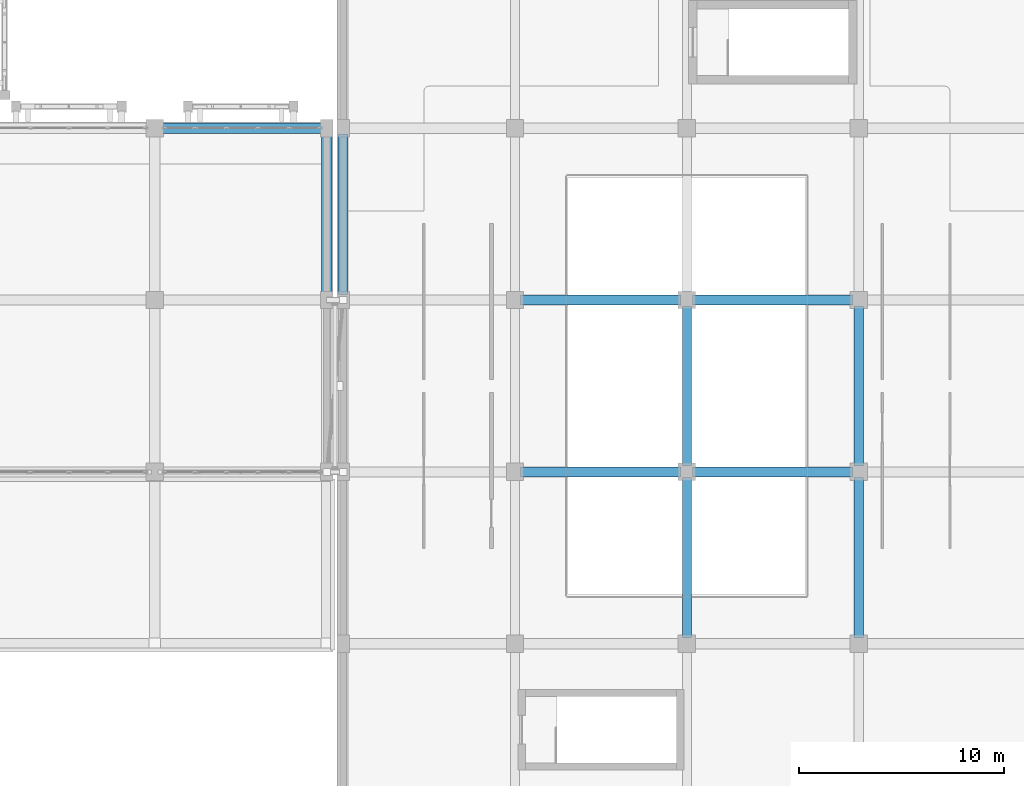
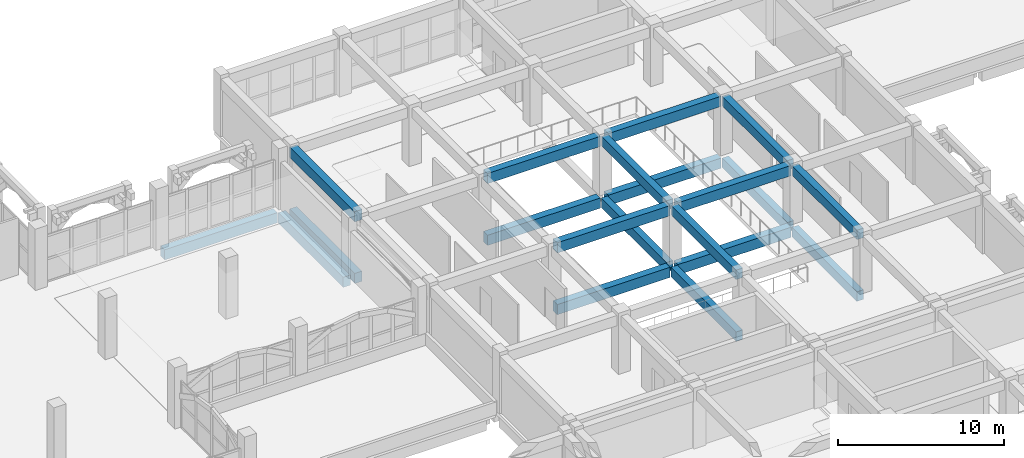
# One storey, part 62 of 129: 20 beams.
"""IFC4 building model written with IfcOpenShell, lengths in metres."""

from ifc_helpers import new_model, si_unit, direction, frame, origin, origin_2d, place, context, subcontext, project, spatial, rectangle, extrude, material, material_profile, profile_set, type_object, element, save


model = new_model("IFC4")

# Units and contexts
model_context = context("Model", 3, precision=1e-05, world=origin(), true_north=direction((0.0, 1.0)))
body_context = subcontext(model_context, "Body", "Model", "MODEL_VIEW")
ifc_project = project(units=[si_unit("LENGTHUNIT", "METRE"), si_unit("AREAUNIT", "SQUARE_METRE"), si_unit("VOLUMEUNIT", "CUBIC_METRE"), si_unit("PLANEANGLEUNIT", "RADIAN"), si_unit("MASSUNIT", "GRAM", prefix="KILO")], contexts=[model_context])

# Site, building, storey
site_placement = place(None, origin())
site = spatial("IfcSite", under=ifc_project, at=site_placement, CompositionType="ELEMENT")
building_placement = place(site_placement, origin())
building = spatial("IfcBuilding", under=site, at=building_placement, Name="Xazarin Passage Department Store", CompositionType="ELEMENT")
storey_placement = place(building_placement, frame((0.0, 0.0, 9.89990234375)))
storey = spatial("IfcBuildingStorey", under=building, at=storey_placement, Name="L02", CompositionType="ELEMENT", Elevation=9.89990234375)

# Beams
ifc_material = material(Name="Concrete C35/45", Category="concrete")
ifc_material_profile_1 = material_profile(ifc_material, rectangle(XDim=0.449951171875, YDim=0.699951171875, at=origin_2d()), Name="RC 450x700")
ifc_profile_set_1 = profile_set([ifc_material_profile_1], Name="Concrete C35/45")
beam_type_1 = type_object("IfcBeamType", Name="STR-BM-G450x700", PredefinedType="BEAM", material=ifc_profile_set_1)
for number, where, z_axis, x_axis, name in (
    (1, (84.800048828125, 59.8798828125, -0.64990234375), (0.0, 1.0, 0.0), (-1.0, 0.0, 0.0), "L02 Grid Beam 12/J-K"),
    (2, (84.800048828125, 68.280029296875, -0.64990234375), (0.0, 1.0, 0.0), (-1.0, 0.0, 0.0), "L02 Grid Beam 12/K-L"),
    (3, (93.199951171875, 59.8798828125, -0.64990234375), (0.0, 1.0, 0.0), (-1.0, 0.0, 0.0), "L02 Grid Beam 13/J-K"),
    (4, (93.199951171875, 68.280029296875, -0.64990234375), (0.0, 1.0, 0.0), (-1.0, 0.0, 0.0), "L02 Grid Beam 13/K-L"),
    (5, (84.800048828125, 59.8798828125, 3.89013671875), (0.0, 1.0, 0.0), (-1.0, 0.0, 0.0), "L02 Grid Beam 12/J-K"),
    (6, (84.800048828125, 68.280029296875, 3.89013671875), (0.0, 1.0, 0.0), (-1.0, 0.0, 0.0), "L02 Grid Beam 12/K-L"),
    (7, (93.199951171875, 59.8798828125, 3.89013671875), (0.0, 1.0, 0.0), (-1.0, 0.0, 0.0), "L02 Grid Beam 13/J-K"),
    (8, (93.199951171875, 68.280029296875, 3.89013671875), (0.0, 1.0, 0.0), (-1.0, 0.0, 0.0), "L02 Grid Beam 13/K-L"),
):
    element("IfcBeam", number, at=place(storey_placement, frame(where, z_axis=z_axis, x_axis=x_axis)), inside=storey, type_object=beam_type_1, Name=name, PredefinedType="BEAM", context=body_context, shape_type="SweptSolid", body=[
        extrude(rectangle(XDim=0.449951171875, YDim=0.699951171875, at=origin_2d()), origin(), (0.0, 0.0, 1.0), 7.840087890625),
    ])
ifc_material_profile_2 = material_profile(ifc_material, rectangle(XDim=0.5, YDim=0.75, at=origin_2d()), Name="RC 500x750")
ifc_profile_set_2 = profile_set([ifc_material_profile_2], Name="Concrete C35/45")
beam_type_2 = type_object("IfcBeamType", Name="STR-BM-SP500x750", PredefinedType="SPANDREL", material=ifc_profile_set_2)
beam_1_placement = place(storey_placement, frame((59.080078125, 84.800048828125, -0.6748046875), z_axis=(1.0, 0.0, 0.0), x_axis=(0.0, 1.0, 0.0)))
element("IfcBeam", 9, at=beam_1_placement, inside=storey, type_object=beam_type_2, Name="L02 Grid Beam M/8-9", PredefinedType="SPANDREL", context=body_context, shape_type="SweptSolid", body=[
    extrude(rectangle(XDim=0.5, YDim=0.75, at=origin_2d()), origin(), (0.0, 0.0, 1.0), 7.83984375),
])
for number, where, z_axis, x_axis, name in (
    (10, (67.199951171875, 76.679931640625, -0.6748046875), (0.0, 1.0, 0.0), (-1.0, 0.0, 0.0), "L02 Grid Beam 9/L-M"),
    (11, (76.679931640625, 68.0, -0.6748046875), (1.0, 0.0, 0.0), (0.0, 1.0, 0.0), "L02 Grid Beam K/11-12"),
):
    element("IfcBeam", number, at=place(storey_placement, frame(where, z_axis=z_axis, x_axis=x_axis)), inside=storey, type_object=beam_type_2, Name=name, PredefinedType="SPANDREL", context=body_context, shape_type="SweptSolid", body=[
        extrude(rectangle(XDim=0.5, YDim=0.75, at=origin_2d()), origin(), (0.0, 0.0, 1.0), 7.840087890625),
    ])
beam_2_placement = place(storey_placement, frame((85.080078125, 68.0, -0.6748046875), z_axis=(1.0, 0.0, 0.0), x_axis=(0.0, 1.0, 0.0)))
element("IfcBeam", 12, at=beam_2_placement, inside=storey, type_object=beam_type_2, Name="L02 Grid Beam K/12-13", PredefinedType="SPANDREL", context=body_context, shape_type="SweptSolid", body=[
    extrude(rectangle(XDim=0.5, YDim=0.75, at=origin_2d()), origin(), (0.0, 0.0, 1.0), 7.83984375),
])
beam_3_placement = place(storey_placement, frame((76.679931640625, 76.39990234375, -0.6748046875), z_axis=(1.0, 0.0, 0.0), x_axis=(0.0, 1.0, 0.0)))
element("IfcBeam", 13, at=beam_3_placement, inside=storey, type_object=beam_type_2, Name="L02 Grid Beam L/11-12", PredefinedType="SPANDREL", context=body_context, shape_type="SweptSolid", body=[
    extrude(rectangle(XDim=0.5, YDim=0.75, at=origin_2d()), origin(), (0.0, 0.0, 1.0), 7.840087890625),
])
beam_4_placement = place(storey_placement, frame((85.080078125, 76.39990234375, -0.6748046875), z_axis=(1.0, 0.0, 0.0), x_axis=(0.0, 1.0, 0.0)))
element("IfcBeam", 14, at=beam_4_placement, inside=storey, type_object=beam_type_2, Name="L02 Grid Beam L/12-13", PredefinedType="SPANDREL", context=body_context, shape_type="SweptSolid", body=[
    extrude(rectangle(XDim=0.5, YDim=0.75, at=origin_2d()), origin(), (0.0, 0.0, 1.0), 7.83984375),
])
for number, where, z_axis, x_axis, name in (
    (15, (68.0, 76.679931640625, -0.6748046875), (0.0, 1.0, 0.0), (-1.0, 0.0, 0.0), "L02 Grid Beam 10/L-M"),
    (16, (76.679931640625, 68.0, 3.864990234375), (1.0, 0.0, 0.0), (0.0, 1.0, 0.0), "L02 Grid Beam K/11-12"),
):
    element("IfcBeam", number, at=place(storey_placement, frame(where, z_axis=z_axis, x_axis=x_axis)), inside=storey, type_object=beam_type_2, Name=name, PredefinedType="SPANDREL", context=body_context, shape_type="SweptSolid", body=[
        extrude(rectangle(XDim=0.5, YDim=0.75, at=origin_2d()), origin(), (0.0, 0.0, 1.0), 7.840087890625),
    ])
beam_5_placement = place(storey_placement, frame((85.080078125, 68.0, 3.864990234375), z_axis=(1.0, 0.0, 0.0), x_axis=(0.0, 1.0, 0.0)))
element("IfcBeam", 17, at=beam_5_placement, inside=storey, type_object=beam_type_2, Name="L02 Grid Beam K/12-13", PredefinedType="SPANDREL", context=body_context, shape_type="SweptSolid", body=[
    extrude(rectangle(XDim=0.5, YDim=0.75, at=origin_2d()), origin(), (0.0, 0.0, 1.0), 7.83984375),
])
beam_6_placement = place(storey_placement, frame((76.679931640625, 76.39990234375, 3.864990234375), z_axis=(1.0, 0.0, 0.0), x_axis=(0.0, 1.0, 0.0)))
element("IfcBeam", 18, at=beam_6_placement, inside=storey, type_object=beam_type_2, Name="L02 Grid Beam L/11-12", PredefinedType="SPANDREL", context=body_context, shape_type="SweptSolid", body=[
    extrude(rectangle(XDim=0.5, YDim=0.75, at=origin_2d()), origin(), (0.0, 0.0, 1.0), 7.840087890625),
])
beam_7_placement = place(storey_placement, frame((85.080078125, 76.39990234375, 3.864990234375), z_axis=(1.0, 0.0, 0.0), x_axis=(0.0, 1.0, 0.0)))
element("IfcBeam", 19, at=beam_7_placement, inside=storey, type_object=beam_type_2, Name="L02 Grid Beam L/12-13", PredefinedType="SPANDREL", context=body_context, shape_type="SweptSolid", body=[
    extrude(rectangle(XDim=0.5, YDim=0.75, at=origin_2d()), origin(), (0.0, 0.0, 1.0), 7.83984375),
])
beam_8_placement = place(storey_placement, frame((68.0, 76.679931640625, 3.864990234375), z_axis=(0.0, 1.0, 0.0), x_axis=(-1.0, 0.0, 0.0)))
element("IfcBeam", 20, at=beam_8_placement, inside=storey, type_object=beam_type_2, Name="L02 Grid Beam 10/L-M", PredefinedType="SPANDREL", context=body_context, shape_type="SweptSolid", body=[
    extrude(rectangle(XDim=0.5, YDim=0.75, at=origin_2d()), origin(), (0.0, 0.0, 1.0), 7.840087890625),
])

save(model, "model.ifc")
